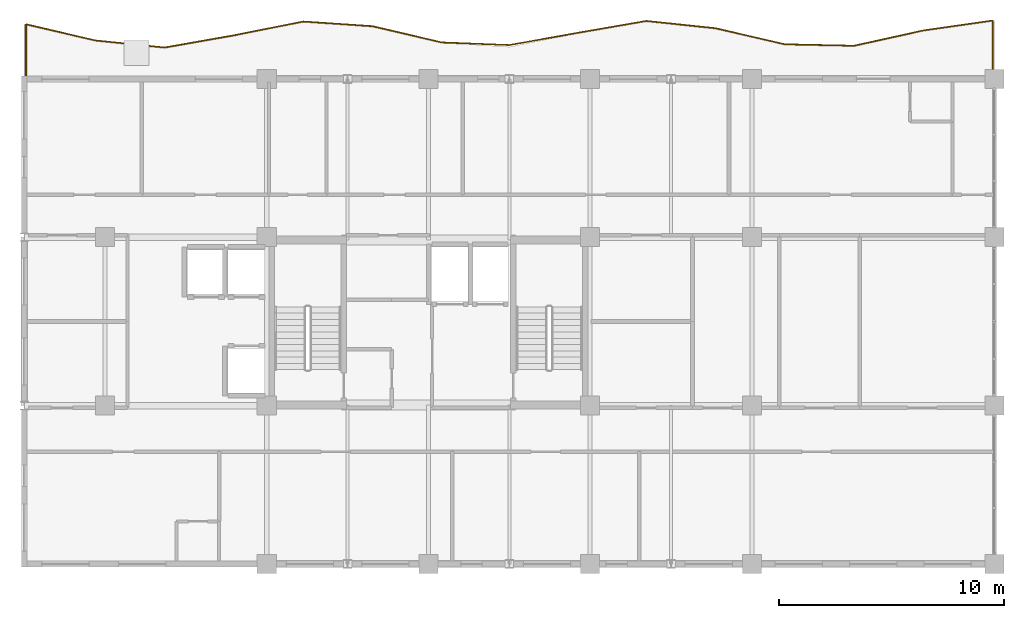
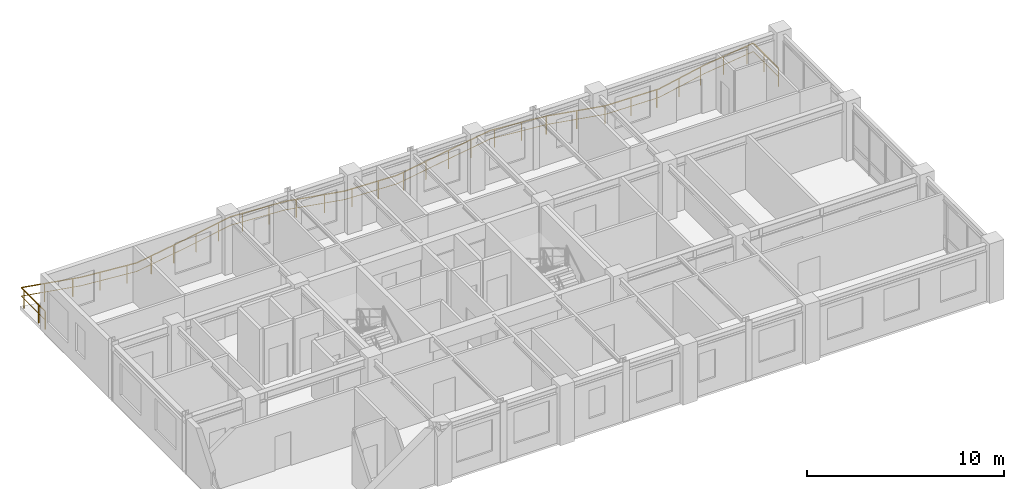
# One storey, part 11 of 11: 1 railing.
"""IFC4 building model written with IfcOpenShell, lengths in metres."""

from ifc_helpers import new_model, si_unit, direction, frame, origin, origin_2d, place, context, subcontext, project, spatial, rectangle, extrude, material, type_object, element, save


model = new_model("IFC4")

# Units and contexts
model_context = context("Model", 3, precision=1e-05, world=origin(), true_north=direction((0.0, 1.0)))
body_context = subcontext(model_context, "Body", "Model", "MODEL_VIEW")
ifc_project = project(units=[si_unit("LENGTHUNIT", "METRE"), si_unit("AREAUNIT", "SQUARE_METRE"), si_unit("VOLUMEUNIT", "CUBIC_METRE"), si_unit("PLANEANGLEUNIT", "RADIAN"), si_unit("MASSUNIT", "GRAM", prefix="KILO")], contexts=[model_context])

# Site, building, storey
site_placement = place(None, origin())
site = spatial("IfcSite", under=ifc_project, at=site_placement, CompositionType="ELEMENT")
building_placement = place(site_placement, origin())
building = spatial("IfcBuilding", under=site, at=building_placement, Name="Kaliganga Portal Commons", CompositionType="ELEMENT")
storey_placement = place(building_placement, frame((0.0, 0.0, 253.60009765625)))
storey = spatial("IfcBuildingStorey", under=building, at=storey_placement, Name="L65", CompositionType="ELEMENT", Elevation=253.60009765625)

# Railing
ifc_material = material(Name="Laminated Safety Glass and Stainless Steel 316", Category="steel")
railing_type = type_object("IfcRailingType", Name="RLG-BAL-1150", PredefinedType="BALUSTRADE", material=ifc_material)
railing_placement = place(storey_placement, frame((46.72021484375, 43.20654296875, 0.0)))
element("IfcRailing", 1, at=railing_placement, inside=storey, type_object=railing_type, Name="Balcony Guardrail L65 balc_north", PredefinedType="BALUSTRADE", context=body_context, shape_type="SweptSolid", body=[
    extrude(rectangle(XDim=0.048095703125, YDim=0.048095703125, at=origin_2d()), frame((0.0, 0.0, 1.1259765625), z_axis=(0.0, 1.0, 0.0), x_axis=(-1.0, 0.0, 0.0)), (0.0, 0.0, 1.0), 2.59033203125),
    extrude(rectangle(XDim=0.028076171875, YDim=0.028076171875, at=origin_2d()), frame((0.0, 0.0, 0.597900390625), z_axis=(0.0, 1.0, 0.0), x_axis=(-1.0, 0.0, 0.0)), (0.0, 0.0, 1.0), 2.59033203125),
    extrude(rectangle(XDim=0.048095703125, YDim=0.048095703125, at=origin_2d()), frame((0.0, 2.59033203125, 1.1259765625), z_axis=(-0.989979233773, -0.141213018868, 0.0), x_axis=(0.141213018868, -0.989979233773, 0.0)), (0.0, 0.0, 1.0), 3.1171875),
    extrude(rectangle(XDim=0.028076171875, YDim=0.028076171875, at=origin_2d()), frame((0.0, 2.59033203125, 0.597900390625), z_axis=(-0.989979233773, -0.141213018868, 0.0), x_axis=(0.141213018868, -0.989979233773, 0.0)), (0.0, 0.0, 1.0), 3.1171875),
    extrude(rectangle(XDim=0.048095703125, YDim=0.048095703125, at=origin_2d()), frame((-3.0859375, 2.150146484375, 1.1259765625), z_axis=(-0.976475232847, -0.215629588961, 0.0), x_axis=(0.215629588961, -0.976475232847, 0.0)), (0.0, 0.0, 1.0), 3.159912109375),
    extrude(rectangle(XDim=0.028076171875, YDim=0.028076171875, at=origin_2d()), frame((-3.0859375, 2.150146484375, 0.597900390625), z_axis=(-0.976475232847, -0.215629588961, 0.0), x_axis=(0.215629588961, -0.976475232847, 0.0)), (0.0, 0.0, 1.0), 3.159912109375),
    extrude(rectangle(XDim=0.048095703125, YDim=0.048095703125, at=origin_2d()), frame((-6.171630859375, 1.46875, 1.1259765625), z_axis=(-0.999771900942, 0.021357576806, 0.0), x_axis=(-0.021357576806, -0.999771900942, 0.0)), (0.0, 0.0, 1.0), 3.08642578125),
    extrude(rectangle(XDim=0.028076171875, YDim=0.028076171875, at=origin_2d()), frame((-6.171630859375, 1.46875, 0.597900390625), z_axis=(-0.999771900942, 0.021357576806, 0.0), x_axis=(-0.021357576806, -0.999771900942, 0.0)), (0.0, 0.0, 1.0), 3.08642578125),
    extrude(rectangle(XDim=0.048095703125, YDim=0.048095703125, at=origin_2d()), frame((-9.25732421875, 1.53466796875, 1.1259765625), z_axis=(-0.974216823664, 0.225613786127, 0.0), x_axis=(-0.225613786127, -0.974216823664, 0.0)), (0.0, 0.0, 1.0), 3.167236328125),
    extrude(rectangle(XDim=0.028076171875, YDim=0.028076171875, at=origin_2d()), frame((-9.25732421875, 1.53466796875, 0.597900390625), z_axis=(-0.974216823664, 0.225613786127, 0.0), x_axis=(-0.225613786127, -0.974216823664, 0.0)), (0.0, 0.0, 1.0), 3.167236328125),
    extrude(rectangle(XDim=0.048095703125, YDim=0.048095703125, at=origin_2d()), frame((-12.343017578125, 2.249267578125, 1.1259765625), z_axis=(-0.994531726725, 0.104434881805, 0.0), x_axis=(-0.104434881805, -0.994531726725, 0.0)), (0.0, 0.0, 1.0), 3.10205078125),
    extrude(rectangle(XDim=0.028076171875, YDim=0.028076171875, at=origin_2d()), frame((-12.343017578125, 2.249267578125, 0.597900390625), z_axis=(-0.994531726725, 0.104434881805, 0.0), x_axis=(-0.104434881805, -0.994531726725, 0.0)), (0.0, 0.0, 1.0), 3.10205078125),
    extrude(rectangle(XDim=0.048095703125, YDim=0.048095703125, at=origin_2d()), frame((-15.42822265625, 2.5732421875, 1.1259765625), z_axis=(-0.985254630733, -0.171094455258, 0.0), x_axis=(0.171094455258, -0.985254630733, 0.0)), (0.0, 0.0, 1.0), 3.132080078125),
    extrude(rectangle(XDim=0.028076171875, YDim=0.028076171875, at=origin_2d()), frame((-15.42822265625, 2.5732421875, 0.597900390625), z_axis=(-0.985254630733, -0.171094455258, 0.0), x_axis=(0.171094455258, -0.985254630733, 0.0)), (0.0, 0.0, 1.0), 3.132080078125),
    extrude(rectangle(XDim=0.048095703125, YDim=0.048095703125, at=origin_2d()), frame((-18.51416015625, 2.037353515625, 1.1259765625), z_axis=(-0.984299351649, -0.176507184962, 0.0), x_axis=(0.176507184962, -0.984299351649, 0.0)), (0.0, 0.0, 1.0), 3.053955078125),
    extrude(rectangle(XDim=0.028076171875, YDim=0.028076171875, at=origin_2d()), frame((-18.51416015625, 2.037353515625, 0.597900390625), z_axis=(-0.984299351649, -0.176507184962, 0.0), x_axis=(0.176507184962, -0.984299351649, 0.0)), (0.0, 0.0, 1.0), 3.053955078125),
    extrude(rectangle(XDim=0.048095703125, YDim=0.048095703125, at=origin_2d()), frame((-21.520263671875, 1.498291015625, 1.1259765625), z_axis=(-0.999218621498, 0.03952399843, 0.0), x_axis=(-0.03952399843, -0.999218621498, 0.0)), (0.0, 0.0, 1.0), 3.00830078125),
    extrude(rectangle(XDim=0.028076171875, YDim=0.028076171875, at=origin_2d()), frame((-21.520263671875, 1.498291015625, 0.597900390625), z_axis=(-0.999218621498, 0.03952399843, 0.0), x_axis=(-0.03952399843, -0.999218621498, 0.0)), (0.0, 0.0, 1.0), 3.00830078125),
    extrude(rectangle(XDim=0.048095703125, YDim=0.048095703125, at=origin_2d()), frame((-24.526123046875, 1.6171875, 1.1259765625), z_axis=(-0.973693269985, 0.227862713023, 0.0), x_axis=(-0.227862713023, -0.973693269985, 0.0)), (0.0, 0.0, 1.0), 3.16943359375),
    extrude(rectangle(XDim=0.028076171875, YDim=0.028076171875, at=origin_2d()), frame((-24.526123046875, 1.6171875, 0.597900390625), z_axis=(-0.973693269985, 0.227862713023, 0.0), x_axis=(-0.227862713023, -0.973693269985, 0.0)), (0.0, 0.0, 1.0), 3.16943359375),
    extrude(rectangle(XDim=0.048095703125, YDim=0.048095703125, at=origin_2d()), frame((-27.612060546875, 2.33935546875, 1.1259765625), z_axis=(-0.997724667728, 0.06742022996, 0.0), x_axis=(-0.06742022996, -0.997724667728, 0.0)), (0.0, 0.0, 1.0), 3.092529296875),
    extrude(rectangle(XDim=0.028076171875, YDim=0.028076171875, at=origin_2d()), frame((-27.612060546875, 2.33935546875, 0.597900390625), z_axis=(-0.997724667728, 0.06742022996, 0.0), x_axis=(-0.06742022996, -0.997724667728, 0.0)), (0.0, 0.0, 1.0), 3.092529296875),
    extrude(rectangle(XDim=0.048095703125, YDim=0.048095703125, at=origin_2d()), frame((-30.697509765625, 2.5478515625, 1.1259765625), z_axis=(-0.980800918657, -0.19501168673, 0.0), x_axis=(0.19501168673, -0.980800918657, 0.0)), (0.0, 0.0, 1.0), 3.14599609375),
    extrude(rectangle(XDim=0.028076171875, YDim=0.028076171875, at=origin_2d()), frame((-30.697509765625, 2.5478515625, 0.597900390625), z_axis=(-0.980800918657, -0.19501168673, 0.0), x_axis=(0.19501168673, -0.980800918657, 0.0)), (0.0, 0.0, 1.0), 3.14599609375),
    extrude(rectangle(XDim=0.048095703125, YDim=0.048095703125, at=origin_2d()), frame((-33.783203125, 1.934326171875, 1.1259765625), z_axis=(-0.984749027368, -0.173980898656, 0.0), x_axis=(0.173980898656, -0.984749027368, 0.0)), (0.0, 0.0, 1.0), 3.133544921875),
    extrude(rectangle(XDim=0.028076171875, YDim=0.028076171875, at=origin_2d()), frame((-33.783203125, 1.934326171875, 0.597900390625), z_axis=(-0.984749027368, -0.173980898656, 0.0), x_axis=(0.173980898656, -0.984749027368, 0.0)), (0.0, 0.0, 1.0), 3.133544921875),
    extrude(rectangle(XDim=0.048095703125, YDim=0.048095703125, at=origin_2d()), frame((-36.868896484375, 1.38916015625, 1.1259765625), z_axis=(-0.994775906675, 0.10208278748, 0.0), x_axis=(-0.10208278748, -0.994775906675, 0.0)), (0.0, 0.0, 1.0), 3.101806640625),
    extrude(rectangle(XDim=0.028076171875, YDim=0.028076171875, at=origin_2d()), frame((-36.868896484375, 1.38916015625, 0.597900390625), z_axis=(-0.994775906675, 0.10208278748, 0.0), x_axis=(-0.10208278748, -0.994775906675, 0.0)), (0.0, 0.0, 1.0), 3.101806640625),
    extrude(rectangle(XDim=0.048095703125, YDim=0.048095703125, at=origin_2d()), frame((-39.95458984375, 1.705810546875, 1.1259765625), z_axis=(-0.973842914734, 0.227222308375, 0.0), x_axis=(-0.227222308375, -0.973842914734, 0.0)), (0.0, 0.0, 1.0), 3.16845703125),
    extrude(rectangle(XDim=0.028076171875, YDim=0.028076171875, at=origin_2d()), frame((-39.95458984375, 1.705810546875, 0.597900390625), z_axis=(-0.973842914734, 0.227222308375, 0.0), x_axis=(-0.227222308375, -0.973842914734, 0.0)), (0.0, 0.0, 1.0), 3.16845703125),
    extrude(rectangle(XDim=0.048095703125, YDim=0.048095703125, at=origin_2d()), frame((-43.040283203125, 2.42578125, 1.1259765625), z_axis=(-0.000100644122, -0.999999994935, 0.0), x_axis=(0.999999994935, -0.000100644122, 0.0)), (0.0, 0.0, 1.0), 2.42578125),
    extrude(rectangle(XDim=0.028076171875, YDim=0.028076171875, at=origin_2d()), frame((-43.040283203125, 2.42578125, 0.597900390625), z_axis=(-0.000100644122, -0.999999994935, 0.0), x_axis=(0.999999994935, -0.000100644122, 0.0)), (0.0, 0.0, 1.0), 2.42578125),
    extrude(rectangle(XDim=0.0419921875, YDim=0.0419921875, at=origin_2d()), origin(), (0.0, 0.0, 1.0), 1.101806640625),
    extrude(rectangle(XDim=0.0419921875, YDim=0.0419921875, at=origin_2d()), frame((0.0, 1.5, 0.0)), (0.0, 0.0, 1.0), 1.101806640625),
    extrude(rectangle(XDim=0.0419921875, YDim=0.0419921875, at=origin_2d()), frame((-0.405517578125, 2.532470703125, 0.0)), (0.0, 0.0, 1.0), 1.101806640625),
    extrude(rectangle(XDim=0.0419921875, YDim=0.0419921875, at=origin_2d()), frame((-1.890625, 2.320556640625, 0.0)), (0.0, 0.0, 1.0), 1.101806640625),
    extrude(rectangle(XDim=0.0419921875, YDim=0.0419921875, at=origin_2d()), frame((-3.37158203125, 2.087158203125, 0.0)), (0.0, 0.0, 1.0), 1.101806640625),
    extrude(rectangle(XDim=0.0419921875, YDim=0.0419921875, at=origin_2d()), frame((-4.836181640625, 1.763671875, 0.0)), (0.0, 0.0, 1.0), 1.101806640625),
    extrude(rectangle(XDim=0.0419921875, YDim=0.0419921875, at=origin_2d()), frame((-6.303955078125, 1.4716796875, 0.0)), (0.0, 0.0, 1.0), 1.101806640625),
    extrude(rectangle(XDim=0.0419921875, YDim=0.0419921875, at=origin_2d()), frame((-7.8037109375, 1.503662109375, 0.0)), (0.0, 0.0, 1.0), 1.101806640625),
    extrude(rectangle(XDim=0.0419921875, YDim=0.0419921875, at=origin_2d()), frame((-9.30224609375, 1.545166015625, 0.0)), (0.0, 0.0, 1.0), 1.101806640625),
    extrude(rectangle(XDim=0.0419921875, YDim=0.0419921875, at=origin_2d()), frame((-10.763427734375, 1.883544921875, 0.0)), (0.0, 0.0, 1.0), 1.101806640625),
    extrude(rectangle(XDim=0.0419921875, YDim=0.0419921875, at=origin_2d()), frame((-12.343017578125, 2.249267578125, 0.0)), (0.0, 0.0, 1.0), 1.101806640625),
    extrude(rectangle(XDim=0.0419921875, YDim=0.0419921875, at=origin_2d()), frame((-13.714111328125, 2.393310546875, 0.0)), (0.0, 0.0, 1.0), 1.101806640625),
    extrude(rectangle(XDim=0.0419921875, YDim=0.0419921875, at=origin_2d()), frame((-15.2060546875, 2.5498046875, 0.0)), (0.0, 0.0, 1.0), 1.101806640625),
    extrude(rectangle(XDim=0.0419921875, YDim=0.0419921875, at=origin_2d()), frame((-16.68603515625, 2.354736328125, 0.0)), (0.0, 0.0, 1.0), 1.101806640625),
    extrude(rectangle(XDim=0.0419921875, YDim=0.0419921875, at=origin_2d()), frame((-18.163818359375, 2.09814453125, 0.0)), (0.0, 0.0, 1.0), 1.101806640625),
    extrude(rectangle(XDim=0.0419921875, YDim=0.0419921875, at=origin_2d()), frame((-19.640625, 1.83544921875, 0.0)), (0.0, 0.0, 1.0), 1.101806640625),
    extrude(rectangle(XDim=0.0419921875, YDim=0.0419921875, at=origin_2d()), frame((-21.116943359375, 1.570556640625, 0.0)), (0.0, 0.0, 1.0), 1.101806640625),
    extrude(rectangle(XDim=0.0419921875, YDim=0.0419921875, at=origin_2d()), frame((-22.60986328125, 1.54150390625, 0.0)), (0.0, 0.0, 1.0), 1.101806640625),
    extrude(rectangle(XDim=0.0419921875, YDim=0.0419921875, at=origin_2d()), frame((-24.108642578125, 1.6005859375, 0.0)), (0.0, 0.0, 1.0), 1.101806640625),
    extrude(rectangle(XDim=0.0419921875, YDim=0.0419921875, at=origin_2d()), frame((-25.579833984375, 1.86376953125, 0.0)), (0.0, 0.0, 1.0), 1.101806640625),
    extrude(rectangle(XDim=0.0419921875, YDim=0.0419921875, at=origin_2d()), frame((-27.040283203125, 2.20556640625, 0.0)), (0.0, 0.0, 1.0), 1.101806640625),
    extrude(rectangle(XDim=0.0419921875, YDim=0.0419921875, at=origin_2d()), frame((-28.522705078125, 2.40087890625, 0.0)), (0.0, 0.0, 1.0), 1.101806640625),
    extrude(rectangle(XDim=0.0419921875, YDim=0.0419921875, at=origin_2d()), frame((-30.01953125, 2.501953125, 0.0)), (0.0, 0.0, 1.0), 1.101806640625),
    extrude(rectangle(XDim=0.0419921875, YDim=0.0419921875, at=origin_2d()), frame((-31.502197265625, 2.387939453125, 0.0)), (0.0, 0.0, 1.0), 1.101806640625),
    extrude(rectangle(XDim=0.0419921875, YDim=0.0419921875, at=origin_2d()), frame((-32.973388671875, 2.095458984375, 0.0)), (0.0, 0.0, 1.0), 1.101806640625),
    extrude(rectangle(XDim=0.0419921875, YDim=0.0419921875, at=origin_2d()), frame((-34.447265625, 1.817138671875, 0.0)), (0.0, 0.0, 1.0), 1.101806640625),
    extrude(rectangle(XDim=0.0419921875, YDim=0.0419921875, at=origin_2d()), frame((-35.92431640625, 1.55615234375, 0.0)), (0.0, 0.0, 1.0), 1.101806640625),
    extrude(rectangle(XDim=0.0419921875, YDim=0.0419921875, at=origin_2d()), frame((-37.40673828125, 1.4443359375, 0.0)), (0.0, 0.0, 1.0), 1.101806640625),
    extrude(rectangle(XDim=0.0419921875, YDim=0.0419921875, at=origin_2d()), frame((-38.89892578125, 1.597412109375, 0.0)), (0.0, 0.0, 1.0), 1.101806640625),
    extrude(rectangle(XDim=0.0419921875, YDim=0.0419921875, at=origin_2d()), frame((-40.382080078125, 1.805419921875, 0.0)), (0.0, 0.0, 1.0), 1.101806640625),
    extrude(rectangle(XDim=0.0419921875, YDim=0.0419921875, at=origin_2d()), frame((-41.8427734375, 2.146484375, 0.0)), (0.0, 0.0, 1.0), 1.101806640625),
    extrude(rectangle(XDim=0.0419921875, YDim=0.0419921875, at=origin_2d()), frame((-43.040283203125, 2.155517578125, 0.0)), (0.0, 0.0, 1.0), 1.101806640625),
    extrude(rectangle(XDim=0.0419921875, YDim=0.0419921875, at=origin_2d()), frame((-43.04052734375, 0.655517578125, 0.0)), (0.0, 0.0, 1.0), 1.101806640625),
    extrude(rectangle(XDim=0.0419921875, YDim=0.0419921875, at=origin_2d()), frame((-43.04052734375, 0.0, 0.0)), (0.0, 0.0, 1.0), 1.101806640625),
])

save(model, "model.ifc")
